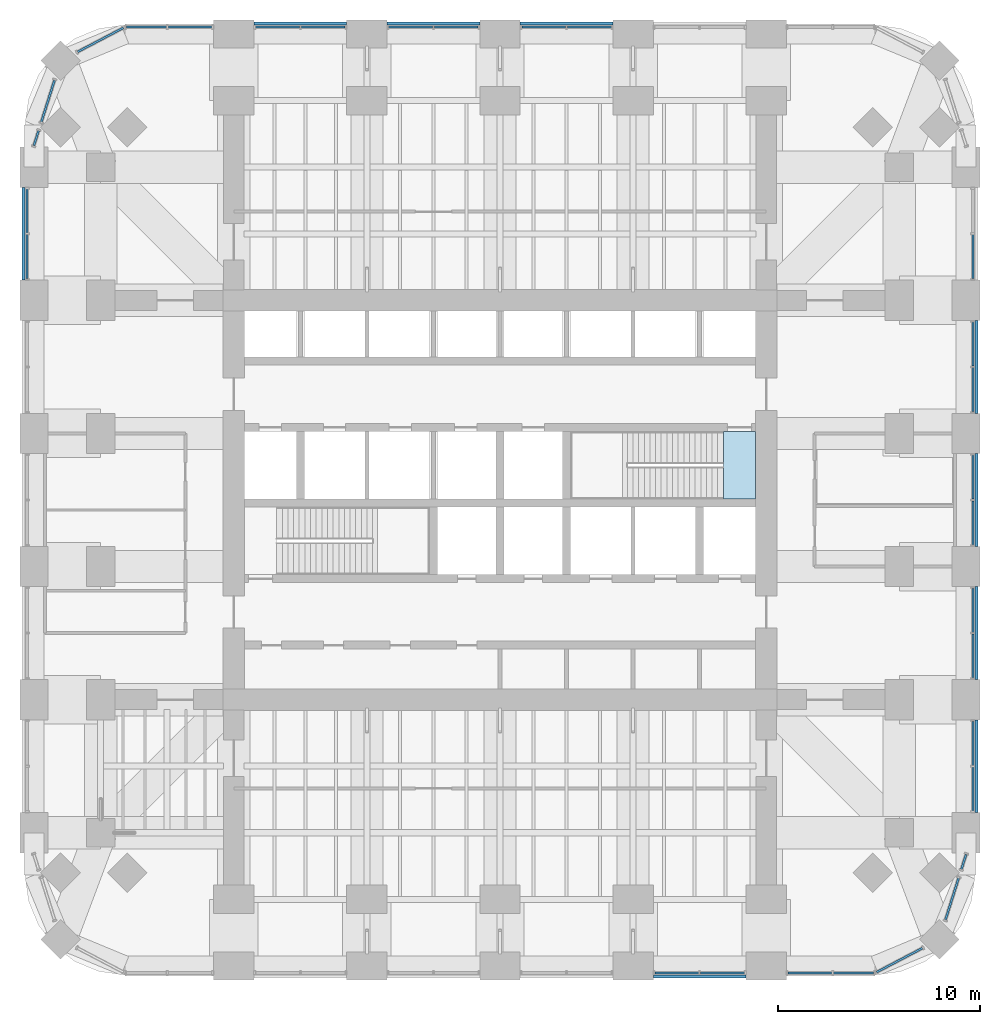
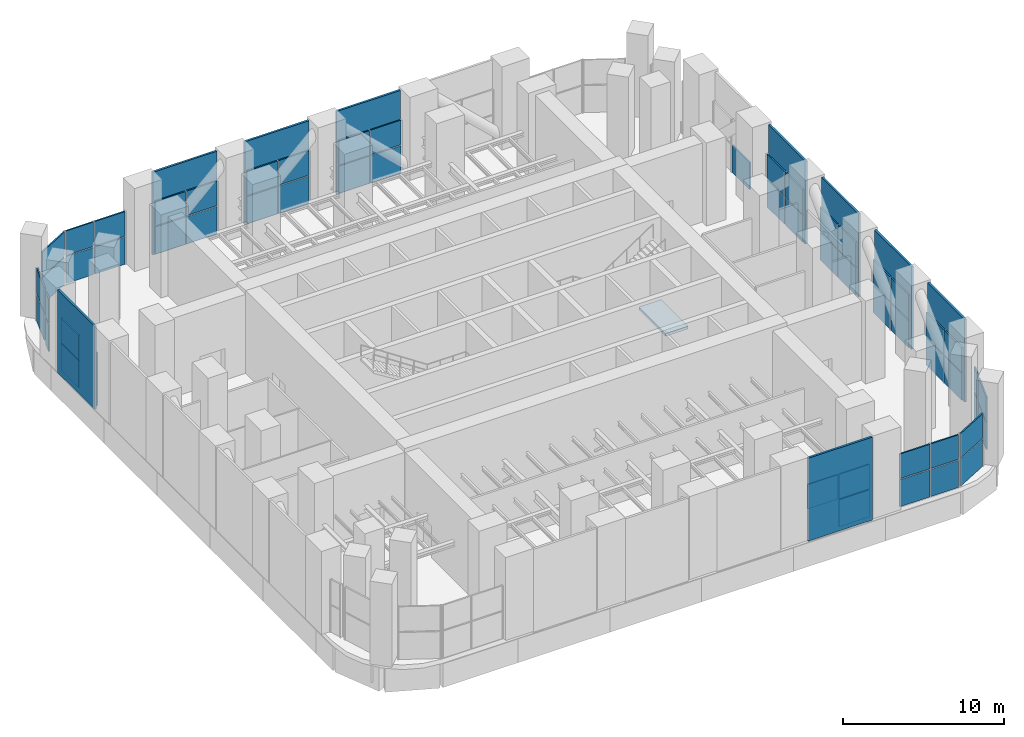
# One storey, part 11 of 16: 65 plates, 1 slab, 19 elements without a shape of their own.
"""IFC4 building model written with IfcOpenShell, lengths in metres."""

from ifc_helpers import new_model, si_unit, direction, frame, origin, origin_2d, place, context, subcontext, project, spatial, polyline, rectangle, outline, extrude, material, layer, layer_set, type_object, element, aggregate, save


model = new_model("IFC4")

# Units and contexts
model_context = context("Model", 3, precision=1e-05, world=origin(), true_north=direction((0.0, 1.0)))
body_context = subcontext(model_context, "Body", "Model", "MODEL_VIEW")
ifc_project = project(units=[si_unit("LENGTHUNIT", "METRE"), si_unit("AREAUNIT", "SQUARE_METRE"), si_unit("VOLUMEUNIT", "CUBIC_METRE"), si_unit("PLANEANGLEUNIT", "RADIAN"), si_unit("MASSUNIT", "GRAM", prefix="KILO")], contexts=[model_context])

# Site, building, storey
site_placement = place(None, origin())
site = spatial("IfcSite", under=ifc_project, at=site_placement, CompositionType="ELEMENT")
building_placement = place(site_placement, origin())
building = spatial("IfcBuilding", under=site, at=building_placement, Name="Cobogo Forest Laboratory Tower", CompositionType="ELEMENT")
storey_placement = place(building_placement, frame((0.0, 0.0, 149.39990234375)))
storey = spatial("IfcBuildingStorey", under=building, at=storey_placement, Name="L34", CompositionType="ELEMENT", Elevation=149.39990234375)

# Plates
ifc_material_1 = material(Name="Pierced concrete block", Category="concrete")
ifc_layer_1 = layer(ifc_material_1, 0.14990234375)
ifc_layer_set_1 = layer_set([ifc_layer_1], Name="CO2 cobogo block screen 150")
plate_type_1 = type_object("IfcPlateType", Name="CO2 cobogo block screen 150", PredefinedType="USERDEFINED", material=ifc_layer_set_1)
for number, where, z_axis, x_axis, name in (
    (1, (36.300048828125, -0.52490234375, -0.14990234375), (0.0, 0.0, 1.0), (1.0, 0.0, 0.0), "Cobogo screen S4 L34"),
    (2, (50.02490234375, 9.89990234375, -0.14990234375), (0.0, 0.0, 1.0), (0.0, 1.0, 0.0), "Cobogo screen E1 L34"),
    (3, (50.02490234375, 16.5, -0.14990234375), (0.0, 0.0, 1.0), (0.0, 1.0, 0.0), "Cobogo screen E2 L34"),
    (4, (50.02490234375, 23.10009765625, -0.14990234375), (0.0, 0.0, 1.0), (0.0, 1.0, 0.0), "Cobogo screen E3 L34"),
    (5, (50.02490234375, 29.699951171875, -0.14990234375), (0.0, 0.0, 1.0), (0.0, 1.0, 0.0), "Cobogo screen E4 L34"),
    (6, (16.5, 46.72509765625, -0.14990234375), (0.0, 0.0, 1.0), (1.0, 0.0, 0.0), "Cobogo screen N1 L34"),
    (7, (23.10009765625, 46.72509765625, -0.14990234375), (0.0, 0.0, 1.0), (1.0, 0.0, 0.0), "Cobogo screen N2 L34"),
    (8, (29.699951171875, 46.72509765625, -0.14990234375), (0.0, 0.0, 1.0), (1.0, 0.0, 0.0), "Cobogo screen N3 L34"),
    (9, (2.77490234375, 36.300048828125, -0.14990234375), (0.0, 0.0, 1.0), (0.0, 1.0, 0.0), "Cobogo screen W5 L34"),
):
    element("IfcPlate", number, at=place(storey_placement, frame(where, z_axis=z_axis, x_axis=x_axis)), inside=storey, type_object=plate_type_1, Name=name, ObjectType="COBOGO SCREEN", PredefinedType="USERDEFINED", context=body_context, shape_type="SweptSolid", body=[
        extrude(rectangle(XDim=4.60009765625, YDim=0.14990234375, at=origin_2d()), origin(), (0.0, 0.0, 1.0), 6.300048828125),
    ])

# Curtain wall, plates
ifc_material_2 = material(Name="Aluminium curtain wall", Category="aluminium")
curtain_wall_type = type_object("IfcCurtainWallType", Name="CW-P louvred curtain wall, plant floors", PredefinedType="USERDEFINED", material=ifc_material_2)
curtain_wall_1_placement = place(storey_placement, origin())
curtain_wall_1 = element("IfcCurtainWall", 10, at=curtain_wall_1_placement, inside=storey, type_object=curtain_wall_type, Name="Curtain wall 05 L34", ObjectType="LOUVRED CURTAIN WALL", PredefinedType="USERDEFINED")
ifc_material_3 = material(Name="Aluminium louvre", Category="aluminium")
ifc_layer_2 = layer(ifc_material_3, 0.10009765625)
ifc_layer_set_2 = layer_set([ifc_layer_2], Name="LV-1 aluminium weather louvre panel 100")
plate_type_2 = type_object("IfcPlateType", Name="LV-1 aluminium weather louvre panel 100", PredefinedType="CURTAIN_PANEL", material=ifc_layer_set_2)
plate_1_placement = place(storey_placement, frame((35.169921875, -0.35009765625, 2.14013671875), z_axis=(0.0, 0.0, 1.0), x_axis=(1.0, 0.0, 0.0)))
plate_1 = element("IfcPlate", 11, at=plate_1_placement, type_object=plate_type_2, Name="CW-P panel 1.2", PredefinedType="CURTAIN_PANEL", context=body_context, shape_type="SweptSolid", body=[
    extrude(rectangle(XDim=2.179931640625, YDim=0.10009765625, at=origin_2d()), origin(), (0.0, 0.0, 1.0), 1.860107421875),
])
plate_2_placement = place(storey_placement, frame((37.429931640625, -0.35009765625, 0.0), z_axis=(0.0, 0.0, 1.0), x_axis=(1.0, 0.0, 0.0)))
plate_2 = element("IfcPlate", 12, at=plate_2_placement, type_object=plate_type_2, Name="CW-P panel 2.1", PredefinedType="CURTAIN_PANEL", context=body_context, shape_type="SweptSolid", body=[
    extrude(rectangle(XDim=2.179931640625, YDim=0.10009765625, at=origin_2d()), origin(), (0.0, 0.0, 1.0), 2.06005859375),
])
plate_3_placement = place(storey_placement, frame((37.429931640625, -0.35009765625, 2.14013671875), z_axis=(0.0, 0.0, 1.0), x_axis=(1.0, 0.0, 0.0)))
plate_3 = element("IfcPlate", 13, at=plate_3_placement, type_object=plate_type_2, Name="CW-P panel 2.2", PredefinedType="CURTAIN_PANEL", context=body_context, shape_type="SweptSolid", body=[
    extrude(rectangle(XDim=2.179931640625, YDim=0.10009765625, at=origin_2d()), origin(), (0.0, 0.0, 1.0), 1.860107421875),
])
aggregate(curtain_wall_1, [plate_1, plate_2, plate_3])

curtain_wall_2_placement = place(storey_placement, origin())
curtain_wall_2 = element("IfcCurtainWall", 14, at=curtain_wall_2_placement, inside=storey, type_object=curtain_wall_type, Name="Curtain wall 06 L34", ObjectType="LOUVRED CURTAIN WALL", PredefinedType="USERDEFINED")
plate_4_placement = place(storey_placement, frame((41.77001953125, -0.35009765625, 0.0), z_axis=(0.0, 0.0, 1.0), x_axis=(1.0, 0.0, 0.0)))
plate_4 = element("IfcPlate", 15, at=plate_4_placement, type_object=plate_type_2, Name="CW-P panel 1.1", PredefinedType="CURTAIN_PANEL", context=body_context, shape_type="SweptSolid", body=[
    extrude(rectangle(XDim=2.179931640625, YDim=0.10009765625, at=origin_2d()), origin(), (0.0, 0.0, 1.0), 2.06005859375),
])
plate_5_placement = place(storey_placement, frame((41.77001953125, -0.35009765625, 2.14013671875), z_axis=(0.0, 0.0, 1.0), x_axis=(1.0, 0.0, 0.0)))
plate_5 = element("IfcPlate", 16, at=plate_5_placement, type_object=plate_type_2, Name="CW-P panel 1.2", PredefinedType="CURTAIN_PANEL", context=body_context, shape_type="SweptSolid", body=[
    extrude(rectangle(XDim=2.179931640625, YDim=0.10009765625, at=origin_2d()), origin(), (0.0, 0.0, 1.0), 1.860107421875),
])
plate_6_placement = place(storey_placement, frame((43.929931640625, -0.35009765625, 0.0), z_axis=(0.0, 0.0, 1.0), x_axis=(1.0, 0.0, 0.0)))
plate_6 = element("IfcPlate", 17, at=plate_6_placement, type_object=plate_type_2, Name="CW-P panel 2.1", PredefinedType="CURTAIN_PANEL", context=body_context, shape_type="SweptSolid", body=[
    extrude(rectangle(XDim=1.97998046875, YDim=0.10009765625, at=origin_2d()), origin(), (0.0, 0.0, 1.0), 2.06005859375),
])
plate_7_placement = place(storey_placement, frame((43.929931640625, -0.35009765625, 2.14013671875), z_axis=(0.0, 0.0, 1.0), x_axis=(1.0, 0.0, 0.0)))
plate_7 = element("IfcPlate", 18, at=plate_7_placement, type_object=plate_type_2, Name="CW-P panel 2.2", PredefinedType="CURTAIN_PANEL", context=body_context, shape_type="SweptSolid", body=[
    extrude(rectangle(XDim=1.97998046875, YDim=0.10009765625, at=origin_2d()), origin(), (0.0, 0.0, 1.0), 1.860107421875),
])
aggregate(curtain_wall_2, [plate_4, plate_5, plate_6, plate_7])

curtain_wall_3_placement = place(storey_placement, origin())
curtain_wall_3 = element("IfcCurtainWall", 19, at=curtain_wall_3_placement, inside=storey, type_object=curtain_wall_type, Name="Curtain wall 07 L34", ObjectType="LOUVRED CURTAIN WALL", PredefinedType="USERDEFINED")
plate_8_placement = place(storey_placement, frame((46.2060546875, 0.2822265625, 0.0), z_axis=(0.0, 0.0, 1.0), x_axis=(0.885686540666, 0.464283697413, 0.0)))
plate_8 = element("IfcPlate", 20, at=plate_8_placement, type_object=plate_type_2, Name="CW-P panel 1.1", PredefinedType="CURTAIN_PANEL", context=body_context, shape_type="SweptSolid", body=[
    extrude(rectangle(XDim=2.563232421875, YDim=0.10009765625, at=origin_2d()), origin(), (0.0, 0.0, 1.0), 2.06005859375),
])
plate_9_placement = place(storey_placement, frame((46.2060546875, 0.2822265625, 2.14013671875), z_axis=(0.0, 0.0, 1.0), x_axis=(0.885686540666, 0.464283697413, 0.0)))
plate_9 = element("IfcPlate", 21, at=plate_9_placement, type_object=plate_type_2, Name="CW-P panel 1.2", PredefinedType="CURTAIN_PANEL", context=body_context, shape_type="SweptSolid", body=[
    extrude(rectangle(XDim=2.563232421875, YDim=0.10009765625, at=origin_2d()), origin(), (0.0, 0.0, 1.0), 1.860107421875),
])
aggregate(curtain_wall_3, [plate_8, plate_9])

curtain_wall_4_placement = place(storey_placement, origin())
curtain_wall_4 = element("IfcCurtainWall", 22, at=curtain_wall_4_placement, inside=storey, type_object=curtain_wall_type, Name="Curtain wall 08 L34", ObjectType="LOUVRED CURTAIN WALL", PredefinedType="USERDEFINED")
plate_10_placement = place(storey_placement, frame((48.8134765625, 3.31787109375, 0.0), z_axis=(0.0, 0.0, 1.0), x_axis=(0.301135343623, 0.953581409645, 0.0)))
plate_10 = element("IfcPlate", 23, at=plate_10_placement, type_object=plate_type_2, Name="CW-P panel 1.1", PredefinedType="CURTAIN_PANEL", context=body_context, shape_type="SweptSolid", body=[
    extrude(rectangle(XDim=2.163330078125, YDim=0.10009765625, at=origin_2d()), origin(), (0.0, 0.0, 1.0), 2.06005859375),
])
plate_11_placement = place(storey_placement, frame((48.8134765625, 3.31787109375, 2.14013671875), z_axis=(0.0, 0.0, 1.0), x_axis=(0.301135343623, 0.953581409645, 0.0)))
plate_11 = element("IfcPlate", 24, at=plate_11_placement, type_object=plate_type_2, Name="CW-P panel 1.2", PredefinedType="CURTAIN_PANEL", context=body_context, shape_type="SweptSolid", body=[
    extrude(rectangle(XDim=2.163330078125, YDim=0.10009765625, at=origin_2d()), origin(), (0.0, 0.0, 1.0), 1.860107421875),
])
aggregate(curtain_wall_4, [plate_10, plate_11])

curtain_wall_5_placement = place(storey_placement, origin())
curtain_wall_5 = element("IfcCurtainWall", 25, at=curtain_wall_5_placement, inside=storey, type_object=curtain_wall_type, Name="Curtain wall 09 L34", ObjectType="LOUVRED CURTAIN WALL", PredefinedType="USERDEFINED")
plate_12_placement = place(storey_placement, frame((49.39501953125, 5.158935546875, 0.0), z_axis=(0.0, 0.0, 1.0), x_axis=(0.301135352577, 0.953581406818, 0.0)))
plate_12 = element("IfcPlate", 26, at=plate_12_placement, type_object=plate_type_2, Name="CW-P panel 1.1", PredefinedType="CURTAIN_PANEL", context=body_context, shape_type="SweptSolid", body=[
    extrude(rectangle(XDim=0.764892578125, YDim=0.10009765625, at=origin_2d()), origin(), (0.0, 0.0, 1.0), 2.06005859375),
])
plate_13_placement = place(storey_placement, frame((49.39501953125, 5.158935546875, 2.14013671875), z_axis=(0.0, 0.0, 1.0), x_axis=(0.301135352577, 0.953581406818, 0.0)))
plate_13 = element("IfcPlate", 27, at=plate_13_placement, type_object=plate_type_2, Name="CW-P panel 1.2", PredefinedType="CURTAIN_PANEL", context=body_context, shape_type="SweptSolid", body=[
    extrude(rectangle(XDim=0.764892578125, YDim=0.10009765625, at=origin_2d()), origin(), (0.0, 0.0, 1.0), 1.860107421875),
])
aggregate(curtain_wall_5, [plate_12, plate_13])

curtain_wall_6_placement = place(storey_placement, origin())
curtain_wall_6 = element("IfcCurtainWall", 28, at=curtain_wall_6_placement, inside=storey, type_object=curtain_wall_type, Name="Curtain wall 10 L34", ObjectType="LOUVRED CURTAIN WALL", PredefinedType="USERDEFINED")
plate_14_placement = place(storey_placement, frame((49.85009765625, 8.77001953125, 0.0), z_axis=(0.0, 0.0, 1.0), x_axis=(0.0, 1.0, 0.0)))
plate_14 = element("IfcPlate", 29, at=plate_14_placement, type_object=plate_type_2, Name="CW-P panel 1.1", PredefinedType="CURTAIN_PANEL", context=body_context, shape_type="SweptSolid", body=[
    extrude(rectangle(XDim=2.179931640625, YDim=0.10009765625, at=origin_2d()), origin(), (0.0, 0.0, 1.0), 2.06005859375),
])
plate_15_placement = place(storey_placement, frame((49.85009765625, 8.77001953125, 2.14013671875), z_axis=(0.0, 0.0, 1.0), x_axis=(0.0, 1.0, 0.0)))
plate_15 = element("IfcPlate", 30, at=plate_15_placement, type_object=plate_type_2, Name="CW-P panel 1.2", PredefinedType="CURTAIN_PANEL", context=body_context, shape_type="SweptSolid", body=[
    extrude(rectangle(XDim=2.179931640625, YDim=0.10009765625, at=origin_2d()), origin(), (0.0, 0.0, 1.0), 1.860107421875),
])
plate_16_placement = place(storey_placement, frame((49.85009765625, 11.030029296875, 0.0), z_axis=(0.0, 0.0, 1.0), x_axis=(0.0, 1.0, 0.0)))
plate_16 = element("IfcPlate", 31, at=plate_16_placement, type_object=plate_type_2, Name="CW-P panel 2.1", PredefinedType="CURTAIN_PANEL", context=body_context, shape_type="SweptSolid", body=[
    extrude(rectangle(XDim=2.179931640625, YDim=0.10009765625, at=origin_2d()), origin(), (0.0, 0.0, 1.0), 2.06005859375),
])
plate_17_placement = place(storey_placement, frame((49.85009765625, 11.030029296875, 2.14013671875), z_axis=(0.0, 0.0, 1.0), x_axis=(0.0, 1.0, 0.0)))
plate_17 = element("IfcPlate", 32, at=plate_17_placement, type_object=plate_type_2, Name="CW-P panel 2.2", PredefinedType="CURTAIN_PANEL", context=body_context, shape_type="SweptSolid", body=[
    extrude(rectangle(XDim=2.179931640625, YDim=0.10009765625, at=origin_2d()), origin(), (0.0, 0.0, 1.0), 1.860107421875),
])
aggregate(curtain_wall_6, [plate_14, plate_15, plate_16, plate_17])

curtain_wall_7_placement = place(storey_placement, origin())
curtain_wall_7 = element("IfcCurtainWall", 33, at=curtain_wall_7_placement, inside=storey, type_object=curtain_wall_type, Name="Curtain wall 11 L34", ObjectType="LOUVRED CURTAIN WALL", PredefinedType="USERDEFINED")
plate_18_placement = place(storey_placement, frame((49.85009765625, 15.3701171875, 0.0), z_axis=(0.0, 0.0, 1.0), x_axis=(0.0, 1.0, 0.0)))
plate_18 = element("IfcPlate", 34, at=plate_18_placement, type_object=plate_type_2, Name="CW-P panel 1.1", PredefinedType="CURTAIN_PANEL", context=body_context, shape_type="SweptSolid", body=[
    extrude(rectangle(XDim=2.179931640625, YDim=0.10009765625, at=origin_2d()), origin(), (0.0, 0.0, 1.0), 2.06005859375),
])
plate_19_placement = place(storey_placement, frame((49.85009765625, 15.3701171875, 2.14013671875), z_axis=(0.0, 0.0, 1.0), x_axis=(0.0, 1.0, 0.0)))
plate_19 = element("IfcPlate", 35, at=plate_19_placement, type_object=plate_type_2, Name="CW-P panel 1.2", PredefinedType="CURTAIN_PANEL", context=body_context, shape_type="SweptSolid", body=[
    extrude(rectangle(XDim=2.179931640625, YDim=0.10009765625, at=origin_2d()), origin(), (0.0, 0.0, 1.0), 1.860107421875),
])
plate_20_placement = place(storey_placement, frame((49.85009765625, 17.6298828125, 0.0), z_axis=(0.0, 0.0, 1.0), x_axis=(0.0, 1.0, 0.0)))
plate_20 = element("IfcPlate", 36, at=plate_20_placement, type_object=plate_type_2, Name="CW-P panel 2.1", PredefinedType="CURTAIN_PANEL", context=body_context, shape_type="SweptSolid", body=[
    extrude(rectangle(XDim=2.179931640625, YDim=0.10009765625, at=origin_2d()), origin(), (0.0, 0.0, 1.0), 2.06005859375),
])
plate_21_placement = place(storey_placement, frame((49.85009765625, 17.6298828125, 2.14013671875), z_axis=(0.0, 0.0, 1.0), x_axis=(0.0, 1.0, 0.0)))
plate_21 = element("IfcPlate", 37, at=plate_21_placement, type_object=plate_type_2, Name="CW-P panel 2.2", PredefinedType="CURTAIN_PANEL", context=body_context, shape_type="SweptSolid", body=[
    extrude(rectangle(XDim=2.179931640625, YDim=0.10009765625, at=origin_2d()), origin(), (0.0, 0.0, 1.0), 1.860107421875),
])
aggregate(curtain_wall_7, [plate_18, plate_19, plate_20, plate_21])

curtain_wall_8_placement = place(storey_placement, origin())
curtain_wall_8 = element("IfcCurtainWall", 38, at=curtain_wall_8_placement, inside=storey, type_object=curtain_wall_type, Name="Curtain wall 12 L34", ObjectType="LOUVRED CURTAIN WALL", PredefinedType="USERDEFINED")
plate_22_placement = place(storey_placement, frame((49.85009765625, 21.969970703125, 0.0), z_axis=(0.0, 0.0, 1.0), x_axis=(0.0, 1.0, 0.0)))
plate_22 = element("IfcPlate", 39, at=plate_22_placement, type_object=plate_type_2, Name="CW-P panel 1.1", PredefinedType="CURTAIN_PANEL", context=body_context, shape_type="SweptSolid", body=[
    extrude(rectangle(XDim=2.179931640625, YDim=0.10009765625, at=origin_2d()), origin(), (0.0, 0.0, 1.0), 2.06005859375),
])
plate_23_placement = place(storey_placement, frame((49.85009765625, 21.969970703125, 2.14013671875), z_axis=(0.0, 0.0, 1.0), x_axis=(0.0, 1.0, 0.0)))
plate_23 = element("IfcPlate", 40, at=plate_23_placement, type_object=plate_type_2, Name="CW-P panel 1.2", PredefinedType="CURTAIN_PANEL", context=body_context, shape_type="SweptSolid", body=[
    extrude(rectangle(XDim=2.179931640625, YDim=0.10009765625, at=origin_2d()), origin(), (0.0, 0.0, 1.0), 1.860107421875),
])
plate_24_placement = place(storey_placement, frame((49.85009765625, 24.22998046875, 0.0), z_axis=(0.0, 0.0, 1.0), x_axis=(0.0, 1.0, 0.0)))
plate_24 = element("IfcPlate", 41, at=plate_24_placement, type_object=plate_type_2, Name="CW-P panel 2.1", PredefinedType="CURTAIN_PANEL", context=body_context, shape_type="SweptSolid", body=[
    extrude(rectangle(XDim=2.179931640625, YDim=0.10009765625, at=origin_2d()), origin(), (0.0, 0.0, 1.0), 2.06005859375),
])
plate_25_placement = place(storey_placement, frame((49.85009765625, 24.22998046875, 2.14013671875), z_axis=(0.0, 0.0, 1.0), x_axis=(0.0, 1.0, 0.0)))
plate_25 = element("IfcPlate", 42, at=plate_25_placement, type_object=plate_type_2, Name="CW-P panel 2.2", PredefinedType="CURTAIN_PANEL", context=body_context, shape_type="SweptSolid", body=[
    extrude(rectangle(XDim=2.179931640625, YDim=0.10009765625, at=origin_2d()), origin(), (0.0, 0.0, 1.0), 1.860107421875),
])
aggregate(curtain_wall_8, [plate_22, plate_23, plate_24, plate_25])

curtain_wall_9_placement = place(storey_placement, origin())
curtain_wall_9 = element("IfcCurtainWall", 43, at=curtain_wall_9_placement, inside=storey, type_object=curtain_wall_type, Name="Curtain wall 13 L34", ObjectType="LOUVRED CURTAIN WALL", PredefinedType="USERDEFINED")
plate_26_placement = place(storey_placement, frame((49.85009765625, 28.570068359375, 0.0), z_axis=(0.0, 0.0, 1.0), x_axis=(0.0, 1.0, 0.0)))
plate_26 = element("IfcPlate", 44, at=plate_26_placement, type_object=plate_type_2, Name="CW-P panel 1.1", PredefinedType="CURTAIN_PANEL", context=body_context, shape_type="SweptSolid", body=[
    extrude(rectangle(XDim=2.179931640625, YDim=0.10009765625, at=origin_2d()), origin(), (0.0, 0.0, 1.0), 2.06005859375),
])
plate_27_placement = place(storey_placement, frame((49.85009765625, 28.570068359375, 2.14013671875), z_axis=(0.0, 0.0, 1.0), x_axis=(0.0, 1.0, 0.0)))
plate_27 = element("IfcPlate", 45, at=plate_27_placement, type_object=plate_type_2, Name="CW-P panel 1.2", PredefinedType="CURTAIN_PANEL", context=body_context, shape_type="SweptSolid", body=[
    extrude(rectangle(XDim=2.179931640625, YDim=0.10009765625, at=origin_2d()), origin(), (0.0, 0.0, 1.0), 1.860107421875),
])
plate_28_placement = place(storey_placement, frame((49.85009765625, 30.830078125, 0.0), z_axis=(0.0, 0.0, 1.0), x_axis=(0.0, 1.0, 0.0)))
plate_28 = element("IfcPlate", 46, at=plate_28_placement, type_object=plate_type_2, Name="CW-P panel 2.1", PredefinedType="CURTAIN_PANEL", context=body_context, shape_type="SweptSolid", body=[
    extrude(rectangle(XDim=2.179931640625, YDim=0.10009765625, at=origin_2d()), origin(), (0.0, 0.0, 1.0), 2.06005859375),
])
plate_29_placement = place(storey_placement, frame((49.85009765625, 30.830078125, 2.14013671875), z_axis=(0.0, 0.0, 1.0), x_axis=(0.0, 1.0, 0.0)))
plate_29 = element("IfcPlate", 47, at=plate_29_placement, type_object=plate_type_2, Name="CW-P panel 2.2", PredefinedType="CURTAIN_PANEL", context=body_context, shape_type="SweptSolid", body=[
    extrude(rectangle(XDim=2.179931640625, YDim=0.10009765625, at=origin_2d()), origin(), (0.0, 0.0, 1.0), 1.860107421875),
])
aggregate(curtain_wall_9, [plate_26, plate_27, plate_28, plate_29])

# Curtain wall, plate
curtain_wall_10_placement = place(storey_placement, origin())
curtain_wall_10 = element("IfcCurtainWall", 48, at=curtain_wall_10_placement, inside=storey, type_object=curtain_wall_type, Name="Curtain wall 14 L34", ObjectType="LOUVRED CURTAIN WALL", PredefinedType="USERDEFINED")
plate_30_placement = place(storey_placement, frame((49.85009765625, 35.169921875, 0.0), z_axis=(0.0, 0.0, 1.0), x_axis=(0.0, 1.0, 0.0)))
plate_30 = element("IfcPlate", 49, at=plate_30_placement, type_object=plate_type_2, Name="CW-P panel 1.1", PredefinedType="CURTAIN_PANEL", context=body_context, shape_type="SweptSolid", body=[
    extrude(rectangle(XDim=2.179931640625, YDim=0.10009765625, at=origin_2d()), origin(), (0.0, 0.0, 1.0), 2.06005859375),
])
aggregate(curtain_wall_10, [plate_30])

# Curtain wall, plates
curtain_wall_11_placement = place(storey_placement, origin())
curtain_wall_11 = element("IfcCurtainWall", 50, at=curtain_wall_11_placement, inside=storey, type_object=curtain_wall_type, Name="Curtain wall 20 L34", ObjectType="LOUVRED CURTAIN WALL", PredefinedType="USERDEFINED")
plate_31_placement = place(storey_placement, frame((30.830078125, 46.550048828125, 0.0), z_axis=(0.0, 0.0, 1.0), x_axis=(-1.0, 0.0, 0.0)))
plate_31 = element("IfcPlate", 51, at=plate_31_placement, type_object=plate_type_2, Name="CW-P panel 1.1", PredefinedType="CURTAIN_PANEL", context=body_context, shape_type="SweptSolid", body=[
    extrude(rectangle(XDim=2.179931640625, YDim=0.10009765625, at=origin_2d()), origin(), (0.0, 0.0, 1.0), 2.06005859375),
])
plate_32_placement = place(storey_placement, frame((30.830078125, 46.550048828125, 2.14013671875), z_axis=(0.0, 0.0, 1.0), x_axis=(-1.0, 0.0, 0.0)))
plate_32 = element("IfcPlate", 52, at=plate_32_placement, type_object=plate_type_2, Name="CW-P panel 1.2", PredefinedType="CURTAIN_PANEL", context=body_context, shape_type="SweptSolid", body=[
    extrude(rectangle(XDim=2.179931640625, YDim=0.10009765625, at=origin_2d()), origin(), (0.0, 0.0, 1.0), 1.860107421875),
])
plate_33_placement = place(storey_placement, frame((28.570068359375, 46.550048828125, 0.0), z_axis=(0.0, 0.0, 1.0), x_axis=(-1.0, 0.0, 0.0)))
plate_33 = element("IfcPlate", 53, at=plate_33_placement, type_object=plate_type_2, Name="CW-P panel 2.1", PredefinedType="CURTAIN_PANEL", context=body_context, shape_type="SweptSolid", body=[
    extrude(rectangle(XDim=2.179931640625, YDim=0.10009765625, at=origin_2d()), origin(), (0.0, 0.0, 1.0), 2.06005859375),
])
plate_34_placement = place(storey_placement, frame((28.570068359375, 46.550048828125, 2.14013671875), z_axis=(0.0, 0.0, 1.0), x_axis=(-1.0, 0.0, 0.0)))
plate_34 = element("IfcPlate", 54, at=plate_34_placement, type_object=plate_type_2, Name="CW-P panel 2.2", PredefinedType="CURTAIN_PANEL", context=body_context, shape_type="SweptSolid", body=[
    extrude(rectangle(XDim=2.179931640625, YDim=0.10009765625, at=origin_2d()), origin(), (0.0, 0.0, 1.0), 1.860107421875),
])
aggregate(curtain_wall_11, [plate_31, plate_32, plate_33, plate_34])

curtain_wall_12_placement = place(storey_placement, origin())
curtain_wall_12 = element("IfcCurtainWall", 55, at=curtain_wall_12_placement, inside=storey, type_object=curtain_wall_type, Name="Curtain wall 21 L34", ObjectType="LOUVRED CURTAIN WALL", PredefinedType="USERDEFINED")
plate_35_placement = place(storey_placement, frame((24.22998046875, 46.550048828125, 0.0), z_axis=(0.0, 0.0, 1.0), x_axis=(-1.0, 0.0, 0.0)))
plate_35 = element("IfcPlate", 56, at=plate_35_placement, type_object=plate_type_2, Name="CW-P panel 1.1", PredefinedType="CURTAIN_PANEL", context=body_context, shape_type="SweptSolid", body=[
    extrude(rectangle(XDim=2.179931640625, YDim=0.10009765625, at=origin_2d()), origin(), (0.0, 0.0, 1.0), 2.06005859375),
])
plate_36_placement = place(storey_placement, frame((24.22998046875, 46.550048828125, 2.14013671875), z_axis=(0.0, 0.0, 1.0), x_axis=(-1.0, 0.0, 0.0)))
plate_36 = element("IfcPlate", 57, at=plate_36_placement, type_object=plate_type_2, Name="CW-P panel 1.2", PredefinedType="CURTAIN_PANEL", context=body_context, shape_type="SweptSolid", body=[
    extrude(rectangle(XDim=2.179931640625, YDim=0.10009765625, at=origin_2d()), origin(), (0.0, 0.0, 1.0), 1.860107421875),
])
plate_37_placement = place(storey_placement, frame((21.969970703125, 46.550048828125, 0.0), z_axis=(0.0, 0.0, 1.0), x_axis=(-1.0, 0.0, 0.0)))
plate_37 = element("IfcPlate", 58, at=plate_37_placement, type_object=plate_type_2, Name="CW-P panel 2.1", PredefinedType="CURTAIN_PANEL", context=body_context, shape_type="SweptSolid", body=[
    extrude(rectangle(XDim=2.179931640625, YDim=0.10009765625, at=origin_2d()), origin(), (0.0, 0.0, 1.0), 2.06005859375),
])
plate_38_placement = place(storey_placement, frame((21.969970703125, 46.550048828125, 2.14013671875), z_axis=(0.0, 0.0, 1.0), x_axis=(-1.0, 0.0, 0.0)))
plate_38 = element("IfcPlate", 59, at=plate_38_placement, type_object=plate_type_2, Name="CW-P panel 2.2", PredefinedType="CURTAIN_PANEL", context=body_context, shape_type="SweptSolid", body=[
    extrude(rectangle(XDim=2.179931640625, YDim=0.10009765625, at=origin_2d()), origin(), (0.0, 0.0, 1.0), 1.860107421875),
])
aggregate(curtain_wall_12, [plate_35, plate_36, plate_37, plate_38])

curtain_wall_13_placement = place(storey_placement, origin())
curtain_wall_13 = element("IfcCurtainWall", 60, at=curtain_wall_13_placement, inside=storey, type_object=curtain_wall_type, Name="Curtain wall 22 L34", ObjectType="LOUVRED CURTAIN WALL", PredefinedType="USERDEFINED")
plate_39_placement = place(storey_placement, frame((17.6298828125, 46.550048828125, 0.0), z_axis=(0.0, 0.0, 1.0), x_axis=(-1.0, 0.0, 0.0)))
plate_39 = element("IfcPlate", 61, at=plate_39_placement, type_object=plate_type_2, Name="CW-P panel 1.1", PredefinedType="CURTAIN_PANEL", context=body_context, shape_type="SweptSolid", body=[
    extrude(rectangle(XDim=2.179931640625, YDim=0.10009765625, at=origin_2d()), origin(), (0.0, 0.0, 1.0), 2.06005859375),
])
plate_40_placement = place(storey_placement, frame((17.6298828125, 46.550048828125, 2.14013671875), z_axis=(0.0, 0.0, 1.0), x_axis=(-1.0, 0.0, 0.0)))
plate_40 = element("IfcPlate", 62, at=plate_40_placement, type_object=plate_type_2, Name="CW-P panel 1.2", PredefinedType="CURTAIN_PANEL", context=body_context, shape_type="SweptSolid", body=[
    extrude(rectangle(XDim=2.179931640625, YDim=0.10009765625, at=origin_2d()), origin(), (0.0, 0.0, 1.0), 1.860107421875),
])
plate_41_placement = place(storey_placement, frame((15.3701171875, 46.550048828125, 0.0), z_axis=(0.0, 0.0, 1.0), x_axis=(-1.0, 0.0, 0.0)))
plate_41 = element("IfcPlate", 63, at=plate_41_placement, type_object=plate_type_2, Name="CW-P panel 2.1", PredefinedType="CURTAIN_PANEL", context=body_context, shape_type="SweptSolid", body=[
    extrude(rectangle(XDim=2.179931640625, YDim=0.10009765625, at=origin_2d()), origin(), (0.0, 0.0, 1.0), 2.06005859375),
])
plate_42_placement = place(storey_placement, frame((15.3701171875, 46.550048828125, 2.14013671875), z_axis=(0.0, 0.0, 1.0), x_axis=(-1.0, 0.0, 0.0)))
plate_42 = element("IfcPlate", 64, at=plate_42_placement, type_object=plate_type_2, Name="CW-P panel 2.2", PredefinedType="CURTAIN_PANEL", context=body_context, shape_type="SweptSolid", body=[
    extrude(rectangle(XDim=2.179931640625, YDim=0.10009765625, at=origin_2d()), origin(), (0.0, 0.0, 1.0), 1.860107421875),
])
aggregate(curtain_wall_13, [plate_39, plate_40, plate_41, plate_42])

curtain_wall_14_placement = place(storey_placement, origin())
curtain_wall_14 = element("IfcCurtainWall", 65, at=curtain_wall_14_placement, inside=storey, type_object=curtain_wall_type, Name="Curtain wall 23 L34", ObjectType="LOUVRED CURTAIN WALL", PredefinedType="USERDEFINED")
plate_43_placement = place(storey_placement, frame((11.030029296875, 46.550048828125, 0.0), z_axis=(0.0, 0.0, 1.0), x_axis=(-1.0, 0.0, 0.0)))
plate_43 = element("IfcPlate", 66, at=plate_43_placement, type_object=plate_type_2, Name="CW-P panel 1.1", PredefinedType="CURTAIN_PANEL", context=body_context, shape_type="SweptSolid", body=[
    extrude(rectangle(XDim=2.179931640625, YDim=0.10009765625, at=origin_2d()), origin(), (0.0, 0.0, 1.0), 2.06005859375),
])
plate_44_placement = place(storey_placement, frame((11.030029296875, 46.550048828125, 2.14013671875), z_axis=(0.0, 0.0, 1.0), x_axis=(-1.0, 0.0, 0.0)))
plate_44 = element("IfcPlate", 67, at=plate_44_placement, type_object=plate_type_2, Name="CW-P panel 1.2", PredefinedType="CURTAIN_PANEL", context=body_context, shape_type="SweptSolid", body=[
    extrude(rectangle(XDim=2.179931640625, YDim=0.10009765625, at=origin_2d()), origin(), (0.0, 0.0, 1.0), 1.860107421875),
])
plate_45_placement = place(storey_placement, frame((8.8701171875, 46.550048828125, 0.0), z_axis=(0.0, 0.0, 1.0), x_axis=(-1.0, 0.0, 0.0)))
plate_45 = element("IfcPlate", 68, at=plate_45_placement, type_object=plate_type_2, Name="CW-P panel 2.1", PredefinedType="CURTAIN_PANEL", context=body_context, shape_type="SweptSolid", body=[
    extrude(rectangle(XDim=1.97998046875, YDim=0.10009765625, at=origin_2d()), origin(), (0.0, 0.0, 1.0), 2.06005859375),
])
plate_46_placement = place(storey_placement, frame((8.8701171875, 46.550048828125, 2.14013671875), z_axis=(0.0, 0.0, 1.0), x_axis=(-1.0, 0.0, 0.0)))
plate_46 = element("IfcPlate", 69, at=plate_46_placement, type_object=plate_type_2, Name="CW-P panel 2.2", PredefinedType="CURTAIN_PANEL", context=body_context, shape_type="SweptSolid", body=[
    extrude(rectangle(XDim=1.97998046875, YDim=0.10009765625, at=origin_2d()), origin(), (0.0, 0.0, 1.0), 1.860107421875),
])
aggregate(curtain_wall_14, [plate_43, plate_44, plate_45, plate_46])

curtain_wall_15_placement = place(storey_placement, origin())
curtain_wall_15 = element("IfcCurtainWall", 70, at=curtain_wall_15_placement, inside=storey, type_object=curtain_wall_type, Name="Curtain wall 24 L34", ObjectType="LOUVRED CURTAIN WALL", PredefinedType="USERDEFINED")
plate_47_placement = place(storey_placement, frame((6.593994140625, 45.917724609375, 0.0), z_axis=(0.0, 0.0, 1.0), x_axis=(-0.885686540666, -0.464283697413, 0.0)))
plate_47 = element("IfcPlate", 71, at=plate_47_placement, type_object=plate_type_2, Name="CW-P panel 1.1", PredefinedType="CURTAIN_PANEL", context=body_context, shape_type="SweptSolid", body=[
    extrude(rectangle(XDim=2.563232421875, YDim=0.10009765625, at=origin_2d()), origin(), (0.0, 0.0, 1.0), 2.06005859375),
])
plate_48_placement = place(storey_placement, frame((6.593994140625, 45.917724609375, 2.14013671875), z_axis=(0.0, 0.0, 1.0), x_axis=(-0.885686540666, -0.464283697413, 0.0)))
plate_48 = element("IfcPlate", 72, at=plate_48_placement, type_object=plate_type_2, Name="CW-P panel 1.2", PredefinedType="CURTAIN_PANEL", context=body_context, shape_type="SweptSolid", body=[
    extrude(rectangle(XDim=2.563232421875, YDim=0.10009765625, at=origin_2d()), origin(), (0.0, 0.0, 1.0), 1.860107421875),
])
aggregate(curtain_wall_15, [plate_47, plate_48])

curtain_wall_16_placement = place(storey_placement, origin())
curtain_wall_16 = element("IfcCurtainWall", 73, at=curtain_wall_16_placement, inside=storey, type_object=curtain_wall_type, Name="Curtain wall 25 L34", ObjectType="LOUVRED CURTAIN WALL", PredefinedType="USERDEFINED")
plate_49_placement = place(storey_placement, frame((3.986572265625, 42.882080078125, 0.0), z_axis=(0.0, 0.0, 1.0), x_axis=(-0.301135343623, -0.953581409645, 0.0)))
plate_49 = element("IfcPlate", 74, at=plate_49_placement, type_object=plate_type_2, Name="CW-P panel 1.1", PredefinedType="CURTAIN_PANEL", context=body_context, shape_type="SweptSolid", body=[
    extrude(rectangle(XDim=2.163330078125, YDim=0.10009765625, at=origin_2d()), origin(), (0.0, 0.0, 1.0), 2.06005859375),
])
plate_50_placement = place(storey_placement, frame((3.986572265625, 42.882080078125, 2.14013671875), z_axis=(0.0, 0.0, 1.0), x_axis=(-0.301135343623, -0.953581409645, 0.0)))
plate_50 = element("IfcPlate", 75, at=plate_50_placement, type_object=plate_type_2, Name="CW-P panel 1.2", PredefinedType="CURTAIN_PANEL", context=body_context, shape_type="SweptSolid", body=[
    extrude(rectangle(XDim=2.163330078125, YDim=0.10009765625, at=origin_2d()), origin(), (0.0, 0.0, 1.0), 1.860107421875),
])
aggregate(curtain_wall_16, [plate_49, plate_50])

curtain_wall_17_placement = place(storey_placement, origin())
curtain_wall_17 = element("IfcCurtainWall", 76, at=curtain_wall_17_placement, inside=storey, type_object=curtain_wall_type, Name="Curtain wall 26 L34", ObjectType="LOUVRED CURTAIN WALL", PredefinedType="USERDEFINED")
plate_51_placement = place(storey_placement, frame((3.405029296875, 41.041015625, 0.0), z_axis=(0.0, 0.0, 1.0), x_axis=(-0.301135352577, -0.953581406818, 0.0)))
plate_51 = element("IfcPlate", 77, at=plate_51_placement, type_object=plate_type_2, Name="CW-P panel 1.1", PredefinedType="CURTAIN_PANEL", context=body_context, shape_type="SweptSolid", body=[
    extrude(rectangle(XDim=0.764892578125, YDim=0.10009765625, at=origin_2d()), origin(), (0.0, 0.0, 1.0), 2.06005859375),
])
plate_52_placement = place(storey_placement, frame((3.405029296875, 41.041015625, 2.14013671875), z_axis=(0.0, 0.0, 1.0), x_axis=(-0.301135352577, -0.953581406818, 0.0)))
plate_52 = element("IfcPlate", 78, at=plate_52_placement, type_object=plate_type_2, Name="CW-P panel 1.2", PredefinedType="CURTAIN_PANEL", context=body_context, shape_type="SweptSolid", body=[
    extrude(rectangle(XDim=0.764892578125, YDim=0.10009765625, at=origin_2d()), origin(), (0.0, 0.0, 1.0), 1.860107421875),
])
aggregate(curtain_wall_17, [plate_51, plate_52])

curtain_wall_18_placement = place(storey_placement, origin())
curtain_wall_18 = element("IfcCurtainWall", 79, at=curtain_wall_18_placement, inside=storey, type_object=curtain_wall_type, Name="Curtain wall 27 L34", ObjectType="LOUVRED CURTAIN WALL", PredefinedType="USERDEFINED")
plate_53_placement = place(storey_placement, frame((2.949951171875, 37.429931640625, 0.0), z_axis=(0.0, 0.0, 1.0), x_axis=(0.0, -1.0, 0.0)))
plate_53 = element("IfcPlate", 80, at=plate_53_placement, type_object=plate_type_2, Name="CW-P panel 1.1", PredefinedType="CURTAIN_PANEL", context=body_context, shape_type="SweptSolid", body=[
    extrude(rectangle(XDim=2.179931640625, YDim=0.10009765625, at=origin_2d()), origin(), (0.0, 0.0, 1.0), 2.06005859375),
])
plate_54_placement = place(storey_placement, frame((2.949951171875, 37.429931640625, 2.14013671875), z_axis=(0.0, 0.0, 1.0), x_axis=(0.0, -1.0, 0.0)))
plate_54 = element("IfcPlate", 81, at=plate_54_placement, type_object=plate_type_2, Name="CW-P panel 1.2", PredefinedType="CURTAIN_PANEL", context=body_context, shape_type="SweptSolid", body=[
    extrude(rectangle(XDim=2.179931640625, YDim=0.10009765625, at=origin_2d()), origin(), (0.0, 0.0, 1.0), 1.860107421875),
])
plate_55_placement = place(storey_placement, frame((2.949951171875, 35.169921875, 0.0), z_axis=(0.0, 0.0, 1.0), x_axis=(0.0, -1.0, 0.0)))
plate_55 = element("IfcPlate", 82, at=plate_55_placement, type_object=plate_type_2, Name="CW-P panel 2.1", PredefinedType="CURTAIN_PANEL", context=body_context, shape_type="SweptSolid", body=[
    extrude(rectangle(XDim=2.179931640625, YDim=0.10009765625, at=origin_2d()), origin(), (0.0, 0.0, 1.0), 2.06005859375),
])
plate_56_placement = place(storey_placement, frame((2.949951171875, 35.169921875, 2.14013671875), z_axis=(0.0, 0.0, 1.0), x_axis=(0.0, -1.0, 0.0)))
plate_56 = element("IfcPlate", 83, at=plate_56_placement, type_object=plate_type_2, Name="CW-P panel 2.2", PredefinedType="CURTAIN_PANEL", context=body_context, shape_type="SweptSolid", body=[
    extrude(rectangle(XDim=2.179931640625, YDim=0.10009765625, at=origin_2d()), origin(), (0.0, 0.0, 1.0), 1.860107421875),
])
aggregate(curtain_wall_18, [plate_53, plate_54, plate_55, plate_56])

# Stair, slab
ifc_material_4 = material(Name="Precast concrete HA-40 (C40/50)", Category="concrete")
stair_type = type_object("IfcStairType", Name="ST36 exit stair 36 risers", PredefinedType="HALF_TURN_STAIR", material=ifc_material_4)
stair_placement = place(storey_placement, origin())
stair = element("IfcStair", 84, at=stair_placement, inside=storey, type_object=stair_type, Name="Stair 2 L34 to L35", PredefinedType="HALF_TURN_STAIR")
ifc_material_5 = material(Name="Concrete HA-40 (C40/50)", Category="concrete")
ifc_layer_3 = layer(ifc_material_5, 0.199951171875)
ifc_layer_set_3 = layer_set([ifc_layer_3], Name="SL stair landing 200")
slab_type = type_object("IfcSlabType", Name="SL stair landing 200", PredefinedType="LANDING", material=ifc_layer_set_3)
slab_placement = place(storey_placement, frame((0.0, 0.0, -0.199951171875)))
slab = element("IfcSlab", 85, at=slab_placement, type_object=slab_type, Name="ST2 landing 1", PredefinedType="LANDING", context=body_context, shape_type="SweptSolid", body=[
    extrude(outline(polyline([(37.472900390625, 23.14990234375), (39.074951171875, 23.14990234375), (39.074951171875, 26.5), (37.472900390625, 26.5), (37.472900390625, 23.14990234375)])), origin(), (0.0, 0.0, 1.0), 0.199951171875),
])
aggregate(stair, [slab])

save(model, "model.ifc")
